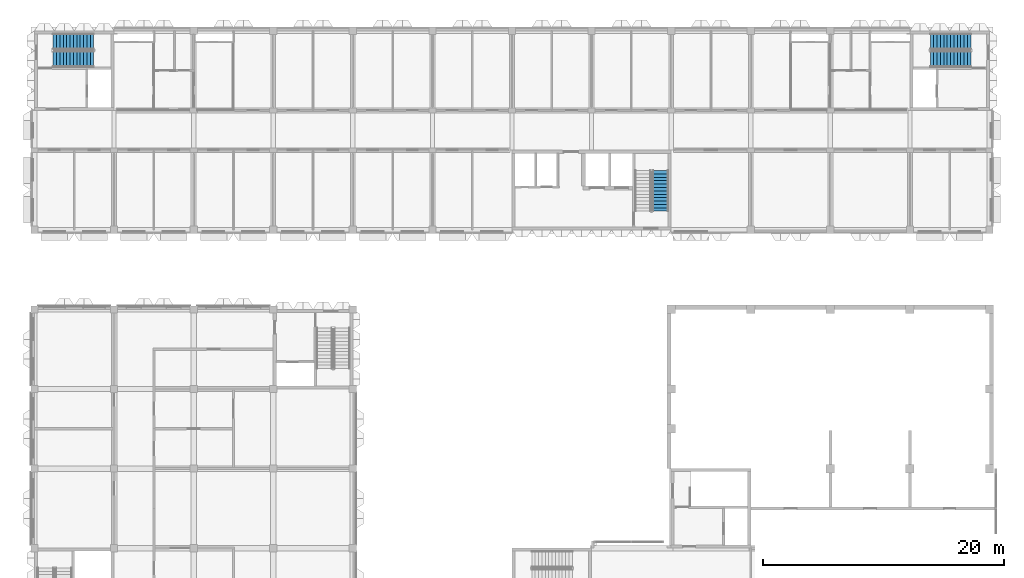
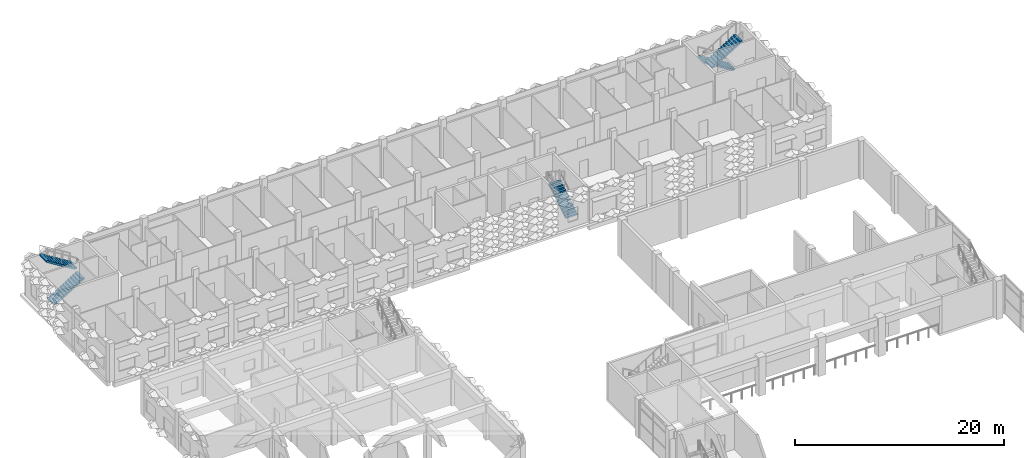
# One storey, part 41 of 87: 5 stair flights, 3 elements without a shape of their own.
"""IFC4 building model written with IfcOpenShell, lengths in metres."""

import ifcopenshell
import ifcopenshell.guid

model = None  # the IFC model being written
_history = None  # IfcOwnerHistory: only IFC2X3 demands one
_inside = {}  # id of a spatial element -> (the spatial element, [elements in it])
_under = {}  # id of a project, library or spatial element -> (it, [spatial elements below it])
_declared = {}  # id of a project -> (the project, [libraries it declares])
_typed = {}  # id of a type object -> (the type object, [elements of that type])
_made_of = {}  # id of a material, layer set ... -> (it, [elements and type objects made of it])


def new_model(schema):
    """Start an empty IFC model of exactly this schema.

    Asked for "IFC4X3", IfcOpenShell would pick the latest addendum, in which some entities
    have other attributes; the version numbers below select the first issue.
    IFC2X3 requires an IfcOwnerHistory on every rooted entity: one is made here for all.
    """
    global model, _history
    if schema == "IFC4X3":
        model = ifcopenshell.file(schema_version=(4, 3, 0, 0))
    else:
        model = ifcopenshell.file(schema=schema)
    _inside.clear()
    _under.clear()
    _declared.clear()
    _typed.clear()
    _made_of.clear()
    _history = None
    if model.schema == "IFC2X3":
        org = make("IfcOrganization", Name="unknown")
        user = make(
            "IfcPersonAndOrganization",
            ThePerson=make("IfcPerson", FamilyName="unknown"),
            TheOrganization=org,
        )
        app = make(
            "IfcApplication",
            ApplicationDeveloper=org,
            Version="unknown",
            ApplicationFullName="unknown",
            ApplicationIdentifier="unknown",
        )
        _history = make(
            "IfcOwnerHistory",
            OwningUser=user,
            OwningApplication=app,
            ChangeAction="ADDED",
            CreationDate=0,
        )
    return model


def make(cls, **values):
    """One entity of the class cls with the attributes given. An attribute that is None is left unset."""
    return model.create_entity(
        cls, **{name: value for name, value in values.items() if value is not None}
    )


def rooted(cls, **values):
    """An entity with a GlobalId (a new one), such as an element, a storey or a relation."""
    return make(cls, GlobalId=ifcopenshell.guid.new(), OwnerHistory=_history, **values)


def si_unit(unit_type, name, prefix=None):
    """IfcSIUnit, for example si_unit("LENGTHUNIT", "METRE", prefix="MILLI")."""
    return make("IfcSIUnit", UnitType=unit_type, Prefix=prefix, Name=name)


def assignment(units):
    """IfcUnitAssignment: the units of a project."""
    return None if units is None else make("IfcUnitAssignment", Units=units)


def point(xyz):
    """IfcCartesianPoint."""
    return None if xyz is None else make("IfcCartesianPoint", Coordinates=xyz)


def direction(xyz):
    """IfcDirection."""
    return None if xyz is None else make("IfcDirection", DirectionRatios=xyz)


def frame(location, z_axis=None, x_axis=None):
    """IfcAxis2Placement3D, a coordinate frame: its origin and axes. An axis left out is left unset."""
    return make(
        "IfcAxis2Placement3D",
        Location=point(location),
        Axis=direction(z_axis),
        RefDirection=direction(x_axis),
    )


def origin():
    """The frame at (0, 0, 0) with its axes left unset."""
    return frame((0.0, 0.0, 0.0))


def place(relative_to, where):
    """IfcLocalPlacement: puts the frame where relative to a parent placement (None: the world)."""
    return make(
        "IfcLocalPlacement", PlacementRelTo=relative_to, RelativePlacement=where
    )


def context(
    kind, dimensions, precision=None, world=None, true_north=None, identifier=None
):
    """IfcGeometricRepresentationContext, for example the 3D "Model" context."""
    return make(
        "IfcGeometricRepresentationContext",
        ContextIdentifier=identifier,
        ContextType=kind,
        CoordinateSpaceDimension=dimensions,
        Precision=precision,
        WorldCoordinateSystem=world,
        TrueNorth=true_north,
    )


def subcontext(parent, identifier, kind, view, scale=None):
    """IfcGeometricRepresentationSubContext, for example "Body" below "Model"."""
    return make(
        "IfcGeometricRepresentationSubContext",
        ContextIdentifier=identifier,
        ContextType=kind,
        ParentContext=parent,
        TargetScale=scale,
        TargetView=view,
    )


def project(units=None, contexts=None):
    """IfcProject with its units and contexts."""
    return rooted(
        "IfcProject",
        Name="project",
        RepresentationContexts=contexts,
        UnitsInContext=assignment(units),
    )


def spatial(cls, under=None, at=None, **own):
    """A site, building, storey or space (cls), placed at a placement, below another one or the project."""
    s = rooted(cls, ObjectPlacement=at, **own)
    if under is not None:
        _under.setdefault(under.id(), (under, []))[1].append(s)
    return s


def polyline(points):
    """IfcPolyline through the points."""
    return make("IfcPolyline", Points=[point(p) for p in points])


def outline(outer, holes=None, kind="AREA"):
    """IfcArbitraryClosedProfileDef: a profile drawn as a closed curve; with holes, ...WithVoids."""
    if holes is None:
        return make("IfcArbitraryClosedProfileDef", ProfileType=kind, OuterCurve=outer)
    return make(
        "IfcArbitraryProfileDefWithVoids",
        ProfileType=kind,
        OuterCurve=outer,
        InnerCurves=holes,
    )


def extrude(swept, where, along, depth):
    """IfcExtrudedAreaSolid: the profile swept, set in the frame where, extruded along a direction by depth."""
    return make(
        "IfcExtrudedAreaSolid",
        SweptArea=swept,
        Position=where,
        ExtrudedDirection=direction(along),
        Depth=depth,
    )


def shape(context_of_items, identifier, shape_type, items):
    """IfcShapeRepresentation: the items that make up one representation, for example the "Body"."""
    return make(
        "IfcShapeRepresentation",
        ContextOfItems=context_of_items,
        RepresentationIdentifier=identifier,
        RepresentationType=shape_type,
        Items=items,
    )


def material(Name=None, Category=None):
    """IfcMaterial."""
    return make("IfcMaterial", Name=Name, Category=Category)


def made_of(thing, what):
    """Note that an element or type object is made of a material, layer set ...; save() writes the relation."""
    if what is not None:
        _made_of.setdefault(what.id(), (what, []))[1].append(thing)
    return thing


def type_object(cls, material=None, **own):
    """A type object (cls), such as IfcWallType, which elements share."""
    return made_of(rooted(cls, **own), material)


def element(
    cls,
    number,
    at=None,
    inside=None,
    cuts=None,
    type_object=None,
    material=None,
    context=None,
    identifier="Body",
    shape_type=None,
    held_by="IfcProductDefinitionShape",
    body=None,
    shapes=None,
    **own,
):
    """One element of the class cls, such as IfcWall. Its Tag is "e" and its number.

    at: its placement. inside: the storey or other place that contains it. cuts: it is an
    opening in that element (IfcRelVoidsElement). A single representation is given by context,
    identifier, shape_type and body (its items); several are given by shapes. held_by: the class
    of the entity that holds the representations. save() writes the other relations.
    """
    e = rooted(cls, Tag="e%d" % number, ObjectPlacement=at, **own)
    if body is not None:
        shapes = [shape(context, identifier, shape_type, body)]
    if shapes is not None:
        e.Representation = make(held_by, Representations=shapes)
    if inside is not None:
        _inside.setdefault(inside.id(), (inside, []))[1].append(e)
    if cuts is not None:
        rooted(
            "IfcRelVoidsElement", RelatingBuildingElement=cuts, RelatedOpeningElement=e
        )
    if type_object is not None:
        _typed.setdefault(type_object.id(), (type_object, []))[1].append(e)
    return made_of(e, material)


def aggregate(whole, parts):
    """IfcRelAggregates: a whole, such as a stair, and the parts it consists of."""
    return rooted("IfcRelAggregates", RelatingObject=whole, RelatedObjects=parts)


def save(model, path):
    """Write the relations noted so far, then the file.

    IfcRelAggregates (storeys below a building ...), IfcRelContainedInSpatialStructure (elements
    in a storey), IfcRelDefinesByType, IfcRelAssociatesMaterial and IfcRelDeclares: one each for
    every whole, place, type object, material and project.
    """
    for whole, parts in _under.values():
        aggregate(whole, parts)
    for where, things in _inside.values():
        rooted(
            "IfcRelContainedInSpatialStructure",
            RelatedElements=things,
            RelatingStructure=where,
        )
    for kind, things in _typed.values():
        rooted("IfcRelDefinesByType", RelatedObjects=things, RelatingType=kind)
    for what, things in _made_of.values():
        rooted("IfcRelAssociatesMaterial", RelatedObjects=things, RelatingMaterial=what)
    for by, libraries in _declared.values():
        rooted("IfcRelDeclares", RelatingContext=by, RelatedDefinitions=libraries)
    model.write(path)


model = new_model("IFC4")

# Units and contexts
model_context = context("Model", 3, precision=1e-05, world=origin(), true_north=direction((0.0, 1.0)))
body_context = subcontext(model_context, "Body", "Model", "MODEL_VIEW")
ifc_project = project(units=[si_unit("LENGTHUNIT", "METRE"), si_unit("AREAUNIT", "SQUARE_METRE"), si_unit("VOLUMEUNIT", "CUBIC_METRE"), si_unit("PLANEANGLEUNIT", "RADIAN"), si_unit("MASSUNIT", "GRAM", prefix="KILO")], contexts=[model_context])

# Site, building, storey
site_placement = place(None, origin())
site = spatial("IfcSite", under=ifc_project, at=site_placement, CompositionType="ELEMENT")
building_placement = place(site_placement, origin())
building = spatial("IfcBuilding", under=site, at=building_placement, Name="Lantern Court Research Institute", CompositionType="ELEMENT")
storey_placement = place(building_placement, frame((0.0, 0.0, 5.39990234375)))
storey = spatial("IfcBuildingStorey", under=building, at=storey_placement, Name="L01", CompositionType="ELEMENT", Elevation=5.39990234375)

# Stair, stair flights
ifc_material_1 = material(Name="Concrete C40/50", Category="concrete")
stair_type = type_object("IfcStairType", Name="RC half-turn stair 1300 wide, 4500 rise, 6100 shaft", PredefinedType="HALF_TURN_STAIR", material=ifc_material_1)
stair_1_placement = place(storey_placement, origin())
stair_1 = element("IfcStair", 1, at=stair_1_placement, inside=storey, type_object=stair_type, Name="L01 stair ST-W1", PredefinedType="HALF_TURN_STAIR")
ifc_material_2 = material(Name="Concrete C40/50", Category="concrete")
stair_flight_type = type_object("IfcStairFlightType", Name="RC stair flight 1300 wide, 13 risers of 173, going 280", PredefinedType="STRAIGHT", material=ifc_material_2)
stair_flight_1_placement = place(storey_placement, frame((1.550048828125, 96.64990234375, 0.0), z_axis=(0.0, 0.0, 1.0), x_axis=(1.0, 0.0, 0.0)))
stair_flight_1 = element("IfcStairFlight", 2, at=stair_flight_1_placement, type_object=stair_flight_type, Name="ST-W1 flight 1", NumberOfRisers=13, NumberOfTreads=12, PredefinedType="STRAIGHT", RiserHeight=0.173076923, TreadLength=0.28, context=body_context, shape_type="SweptSolid", body=[
    extrude(outline(polyline([(0.0, 0.0), (0.0, 0.173095703125), (0.280029296875, 0.173095703125), (0.280029296875, 0.34619140625), (0.56005859375, 0.34619140625), (0.56005859375, 0.519287109375), (0.840087890625, 0.519287109375), (0.840087890625, 0.6923828125), (1.1201171875, 0.6923828125), (1.1201171875, 0.865478515625), (1.39990234375, 0.865478515625), (1.39990234375, 1.03857421875), (1.679931640625, 1.03857421875), (1.679931640625, 1.21142578125), (1.9599609375, 1.21142578125), (1.9599609375, 1.384521484375), (2.239990234375, 1.384521484375), (2.239990234375, 1.5576171875), (2.52001953125, 1.5576171875), (2.52001953125, 1.730712890625), (2.800048828125, 1.730712890625), (2.800048828125, 1.90380859375), (3.080078125, 1.90380859375), (3.080078125, 2.076904296875), (3.360107421875, 2.076904296875), (3.360107421875, 2.25), (3.360107421875, 1.900634765625), (0.28515625, 0.0), (0.0, 0.0)])), frame((0.0, 0.64990234375, 0.0), z_axis=(0.0, -1.0, 0.0), x_axis=(1.0, 0.0, 0.0)), (0.0, 0.0, 1.0), 1.300048828125),
])
stair_flight_2_placement = place(storey_placement, frame((4.909912109375, 98.10009765625, 2.25), z_axis=(0.0, 0.0, 1.0), x_axis=(-1.0, 0.0, 0.0)))
stair_flight_2 = element("IfcStairFlight", 3, at=stair_flight_2_placement, type_object=stair_flight_type, Name="ST-W1 flight 2", NumberOfRisers=13, NumberOfTreads=12, PredefinedType="STRAIGHT", RiserHeight=0.173076923, TreadLength=0.28, context=body_context, shape_type="SweptSolid", body=[
    extrude(outline(polyline([(0.0, 0.0), (0.0, 0.173095703125), (0.280029296875, 0.173095703125), (0.280029296875, 0.34619140625), (0.56005859375, 0.34619140625), (0.56005859375, 0.519287109375), (0.840087890625, 0.519287109375), (0.840087890625, 0.6923828125), (1.1201171875, 0.6923828125), (1.1201171875, 0.865478515625), (1.39990234375, 0.865478515625), (1.39990234375, 1.03857421875), (1.679931640625, 1.03857421875), (1.679931640625, 1.21142578125), (1.9599609375, 1.21142578125), (1.9599609375, 1.384521484375), (2.239990234375, 1.384521484375), (2.239990234375, 1.5576171875), (2.52001953125, 1.5576171875), (2.52001953125, 1.730712890625), (2.800048828125, 1.730712890625), (2.800048828125, 1.90380859375), (3.080078125, 1.90380859375), (3.080078125, 2.076904296875), (3.360107421875, 2.076904296875), (3.360107421875, 2.25), (3.360107421875, 1.900634765625), (0.28515625, 0.0), (0.0, 0.0)])), frame((0.0, 0.64990234375, 0.0), z_axis=(0.0, -1.0, 0.0), x_axis=(1.0, 0.0, 0.0)), (0.0, 0.0, 1.0), 1.300048828125),
])
aggregate(stair_1, [stair_flight_1, stair_flight_2])

# Stair, stair flight
stair_2_placement = place(storey_placement, origin())
stair_2 = element("IfcStair", 4, at=stair_2_placement, inside=storey, type_object=stair_type, Name="L01 stair ST-W2", PredefinedType="HALF_TURN_STAIR")
stair_flight_3_placement = place(storey_placement, frame((51.89990234375, 84.050048828125, 0.0), z_axis=(0.0, 0.0, 1.0), x_axis=(0.0, 1.0, 0.0)))
stair_flight_3 = element("IfcStairFlight", 5, at=stair_flight_3_placement, type_object=stair_flight_type, Name="ST-W2 flight 1", NumberOfRisers=13, NumberOfTreads=12, PredefinedType="STRAIGHT", RiserHeight=0.173076923, TreadLength=0.28, context=body_context, shape_type="SweptSolid", body=[
    extrude(outline(polyline([(0.0, 0.0), (0.0, 0.173095703125), (0.280029296875, 0.173095703125), (0.280029296875, 0.34619140625), (0.56005859375, 0.34619140625), (0.56005859375, 0.519287109375), (0.840087890625, 0.519287109375), (0.840087890625, 0.6923828125), (1.1201171875, 0.6923828125), (1.1201171875, 0.865478515625), (1.39990234375, 0.865478515625), (1.39990234375, 1.03857421875), (1.679931640625, 1.03857421875), (1.679931640625, 1.21142578125), (1.9599609375, 1.21142578125), (1.9599609375, 1.384521484375), (2.239990234375, 1.384521484375), (2.239990234375, 1.5576171875), (2.52001953125, 1.5576171875), (2.52001953125, 1.730712890625), (2.800048828125, 1.730712890625), (2.800048828125, 1.90380859375), (3.080078125, 1.90380859375), (3.080078125, 2.076904296875), (3.360107421875, 2.076904296875), (3.360107421875, 2.25), (3.360107421875, 1.900634765625), (0.28515625, 0.0), (0.0, 0.0)])), frame((0.0, 0.64990234375, 0.0), z_axis=(0.0, -1.0, 0.0), x_axis=(1.0, 0.0, 0.0)), (0.0, 0.0, 1.0), 1.300048828125),
])
aggregate(stair_2, [stair_flight_3])

# Stair, stair flights
stair_3_placement = place(storey_placement, origin())
stair_3 = element("IfcStair", 6, at=stair_3_placement, inside=storey, type_object=stair_type, Name="L01 stair ST-W3", PredefinedType="HALF_TURN_STAIR")
stair_flight_4_placement = place(storey_placement, frame((77.64990234375, 98.10009765625, 0.0), z_axis=(0.0, 0.0, 1.0), x_axis=(-1.0, 0.0, 0.0)))
stair_flight_4 = element("IfcStairFlight", 7, at=stair_flight_4_placement, type_object=stair_flight_type, Name="ST-W3 flight 1", NumberOfRisers=13, NumberOfTreads=12, PredefinedType="STRAIGHT", RiserHeight=0.173076923, TreadLength=0.28, context=body_context, shape_type="SweptSolid", body=[
    extrude(outline(polyline([(0.0, 0.0), (0.0, 0.173095703125), (0.280029296875, 0.173095703125), (0.280029296875, 0.34619140625), (0.56005859375, 0.34619140625), (0.56005859375, 0.519287109375), (0.840087890625, 0.519287109375), (0.840087890625, 0.6923828125), (1.1201171875, 0.6923828125), (1.1201171875, 0.865478515625), (1.39990234375, 0.865478515625), (1.39990234375, 1.03857421875), (1.679931640625, 1.03857421875), (1.679931640625, 1.21142578125), (1.9599609375, 1.21142578125), (1.9599609375, 1.384521484375), (2.239990234375, 1.384521484375), (2.239990234375, 1.5576171875), (2.52001953125, 1.5576171875), (2.52001953125, 1.730712890625), (2.800048828125, 1.730712890625), (2.800048828125, 1.90380859375), (3.080078125, 1.90380859375), (3.080078125, 2.076904296875), (3.360107421875, 2.076904296875), (3.360107421875, 2.25), (3.360107421875, 1.900634765625), (0.28515625, 0.0), (0.0, 0.0)])), frame((0.0, 0.64990234375, 0.0), z_axis=(0.0, -1.0, 0.0), x_axis=(1.0, 0.0, 0.0)), (0.0, 0.0, 1.0), 1.300048828125),
])
stair_flight_5_placement = place(storey_placement, frame((74.2900390625, 96.64990234375, 2.25), z_axis=(0.0, 0.0, 1.0), x_axis=(1.0, 0.0, 0.0)))
stair_flight_5 = element("IfcStairFlight", 8, at=stair_flight_5_placement, type_object=stair_flight_type, Name="ST-W3 flight 2", NumberOfRisers=13, NumberOfTreads=12, PredefinedType="STRAIGHT", RiserHeight=0.173076923, TreadLength=0.28, context=body_context, shape_type="SweptSolid", body=[
    extrude(outline(polyline([(0.0, 0.0), (0.0, 0.173095703125), (0.280029296875, 0.173095703125), (0.280029296875, 0.34619140625), (0.56005859375, 0.34619140625), (0.56005859375, 0.519287109375), (0.840087890625, 0.519287109375), (0.840087890625, 0.6923828125), (1.1201171875, 0.6923828125), (1.1201171875, 0.865478515625), (1.39990234375, 0.865478515625), (1.39990234375, 1.03857421875), (1.679931640625, 1.03857421875), (1.679931640625, 1.21142578125), (1.9599609375, 1.21142578125), (1.9599609375, 1.384521484375), (2.239990234375, 1.384521484375), (2.239990234375, 1.5576171875), (2.52001953125, 1.5576171875), (2.52001953125, 1.730712890625), (2.800048828125, 1.730712890625), (2.800048828125, 1.90380859375), (3.080078125, 1.90380859375), (3.080078125, 2.076904296875), (3.360107421875, 2.076904296875), (3.360107421875, 2.25), (3.360107421875, 1.900634765625), (0.28515625, 0.0), (0.0, 0.0)])), frame((0.0, 0.64990234375, 0.0), z_axis=(0.0, -1.0, 0.0), x_axis=(1.0, 0.0, 0.0)), (0.0, 0.0, 1.0), 1.300048828125),
])
aggregate(stair_3, [stair_flight_4, stair_flight_5])

save(model, "model.ifc")
